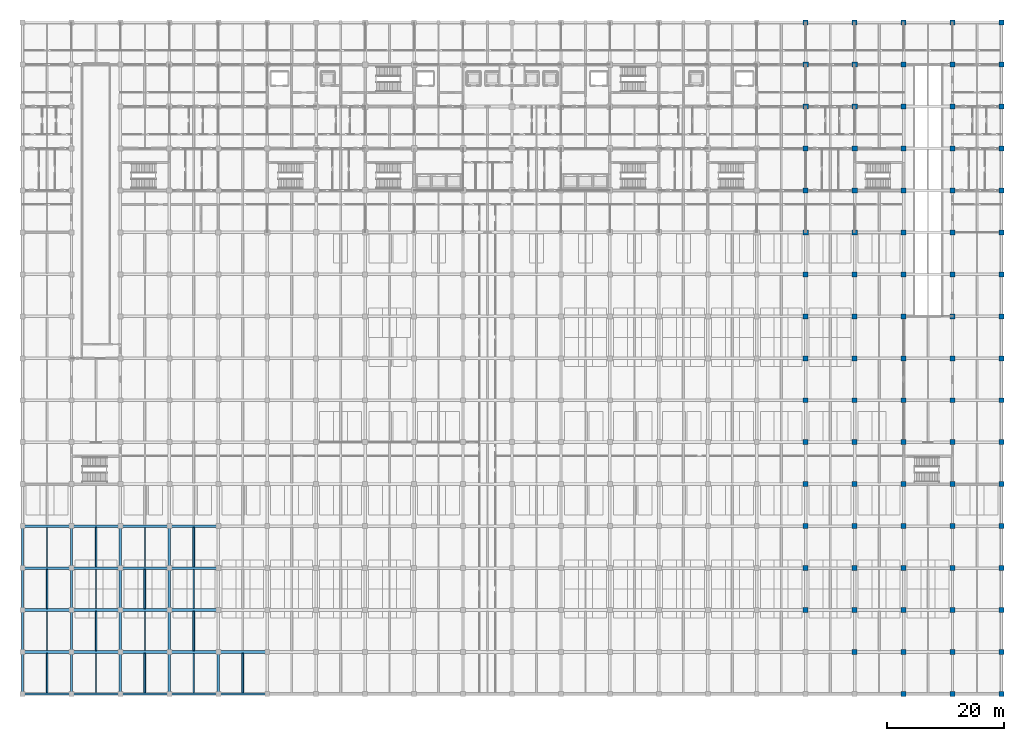
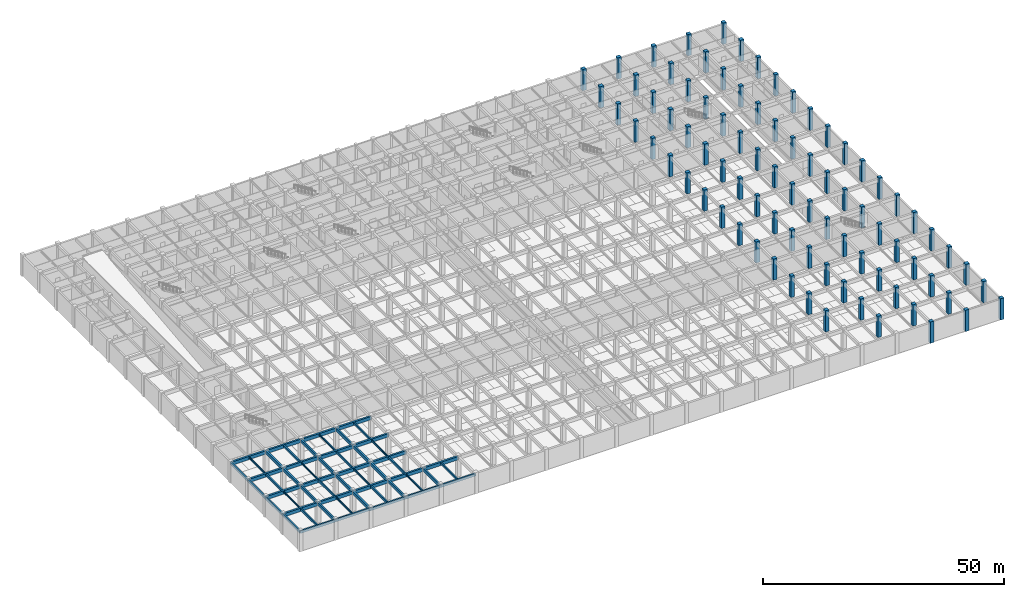
# One storey, part 2 of 48: 82 columns, 56 beams.
"""IFC4 building model written with IfcOpenShell, lengths in metres."""

from ifc_helpers import new_model, si_unit, direction, frame, origin, origin_2d, place, context, subcontext, project, spatial, rectangle, i_section, extrude, material, material_profile, profile_set, type_object, element, save


model = new_model("IFC4")

# Units and contexts
model_context = context("Model", 3, precision=1e-05, world=origin(), true_north=direction((0.0, 1.0)))
body_context = subcontext(model_context, "Body", "Model", "MODEL_VIEW")
ifc_project = project(units=[si_unit("LENGTHUNIT", "METRE"), si_unit("AREAUNIT", "SQUARE_METRE"), si_unit("VOLUMEUNIT", "CUBIC_METRE"), si_unit("PLANEANGLEUNIT", "RADIAN"), si_unit("MASSUNIT", "GRAM", prefix="KILO")], contexts=[model_context])

# Site, building, storey
site_placement = place(None, origin())
site = spatial("IfcSite", under=ifc_project, at=site_placement, CompositionType="ELEMENT")
building_placement = place(site_placement, origin())
building = spatial("IfcBuilding", under=site, at=building_placement, Name="Chengyuan Square Courthouse", CompositionType="ELEMENT")
storey_placement = place(building_placement, frame((0.0, 0.0, -5.39990234375)))
storey = spatial("IfcBuildingStorey", under=building, at=storey_placement, Name="B01", CompositionType="ELEMENT", Elevation=-5.39990234375)

# Columns
ifc_material_1 = material(Name="Concrete C50", Category="concrete")
ifc_material_profile_1 = material_profile(ifc_material_1, rectangle(XDim=0.89990234375, YDim=0.89990234375, at=origin_2d()), Name="RC-COL-900x900")
ifc_profile_set_1 = profile_set([ifc_material_profile_1], Name="Concrete C50")
column_type_1 = type_object("IfcColumnType", Name="CL-02", PredefinedType="COLUMN", material=ifc_profile_set_1)
for number, where, z_axis, x_axis, name in (
    (1, (134.39990234375, 79.199951171875, 0.0), (0.0, 0.0, 1.0), (1.0, 0.0, 0.0), "Column CL-B01-284"),
    (2, (134.39990234375, 100.800048828125, 0.0), (0.0, 0.0, 1.0), (1.0, 0.0, 0.0), "Column CL-B01-287"),
    (3, (134.39990234375, 108.0, 0.0), (0.0, 0.0, 1.0), (1.0, 0.0, 0.0), "Column CL-B01-288"),
    (4, (142.800048828125, 79.199951171875, 0.0), (0.0, 0.0, 1.0), (1.0, 0.0, 0.0), "Column CL-B01-301"),
    (5, (142.800048828125, 86.39990234375, 0.0), (0.0, 0.0, 1.0), (1.0, 0.0, 0.0), "Column CL-B01-302"),
    (6, (142.800048828125, 93.60009765625, 0.0), (0.0, 0.0, 1.0), (1.0, 0.0, 0.0), "Column CL-B01-303"),
    (7, (142.800048828125, 100.800048828125, 0.0), (0.0, 0.0, 1.0), (1.0, 0.0, 0.0), "Column CL-B01-304"),
    (8, (142.800048828125, 108.0, 0.0), (0.0, 0.0, 1.0), (1.0, 0.0, 0.0), "Column CL-B01-305"),
):
    element("IfcColumn", number, at=place(storey_placement, frame(where, z_axis=z_axis, x_axis=x_axis)), inside=storey, type_object=column_type_1, Name=name, PredefinedType="COLUMN", context=body_context, shape_type="SweptSolid", body=[
        extrude(rectangle(XDim=0.89990234375, YDim=0.89990234375, at=origin_2d()), origin(), (0.0, 0.0, 1.0), 5.39990234375),
    ])
ifc_material_profile_2 = material_profile(ifc_material_1, rectangle(XDim=0.85009765625, YDim=0.85009765625, at=origin_2d()), Name="RC-COL-850x850")
ifc_profile_set_2 = profile_set([ifc_material_profile_2], Name="Concrete C50")
column_type_2 = type_object("IfcColumnType", Name="CL-03", PredefinedType="COLUMN", material=ifc_profile_set_2)
for number, where, z_axis, x_axis, name in (
    (9, (134.39990234375, 14.39990234375, 0.0), (0.0, 0.0, 1.0), (1.0, 0.0, 0.0), "Column CL-B01-275"),
    (10, (134.39990234375, 21.60009765625, 0.0), (0.0, 0.0, 1.0), (1.0, 0.0, 0.0), "Column CL-B01-276"),
    (11, (134.39990234375, 28.800048828125, 0.0), (0.0, 0.0, 1.0), (1.0, 0.0, 0.0), "Column CL-B01-277"),
    (12, (134.39990234375, 36.0, 0.0), (0.0, 0.0, 1.0), (1.0, 0.0, 0.0), "Column CL-B01-278"),
    (13, (134.39990234375, 43.199951171875, 0.0), (0.0, 0.0, 1.0), (1.0, 0.0, 0.0), "Column CL-B01-279"),
    (14, (134.39990234375, 50.39990234375, 0.0), (0.0, 0.0, 1.0), (1.0, 0.0, 0.0), "Column CL-B01-280"),
    (15, (134.39990234375, 57.60009765625, 0.0), (0.0, 0.0, 1.0), (1.0, 0.0, 0.0), "Column CL-B01-281"),
    (16, (134.39990234375, 64.800048828125, 0.0), (0.0, 0.0, 1.0), (1.0, 0.0, 0.0), "Column CL-B01-282"),
    (17, (134.39990234375, 72.0, 0.0), (0.0, 0.0, 1.0), (1.0, 0.0, 0.0), "Column CL-B01-283"),
    (18, (134.39990234375, 86.39990234375, 0.0), (0.0, 0.0, 1.0), (1.0, 0.0, 0.0), "Column CL-B01-285"),
    (19, (134.39990234375, 93.60009765625, 0.0), (0.0, 0.0, 1.0), (1.0, 0.0, 0.0), "Column CL-B01-286"),
    (20, (134.39990234375, 115.199951171875, 0.0), (0.0, 0.0, 1.0), (1.0, 0.0, 0.0), "Column CL-B01-289"),
    (21, (142.800048828125, 7.199951171875, 0.0), (0.0, 0.0, 1.0), (1.0, 0.0, 0.0), "Column CL-B01-291"),
    (22, (142.800048828125, 14.39990234375, 0.0), (0.0, 0.0, 1.0), (1.0, 0.0, 0.0), "Column CL-B01-292"),
    (23, (142.800048828125, 21.60009765625, 0.0), (0.0, 0.0, 1.0), (1.0, 0.0, 0.0), "Column CL-B01-293"),
    (24, (142.800048828125, 28.800048828125, 0.0), (0.0, 0.0, 1.0), (1.0, 0.0, 0.0), "Column CL-B01-294"),
    (25, (142.800048828125, 36.0, 0.0), (0.0, 0.0, 1.0), (1.0, 0.0, 0.0), "Column CL-B01-295"),
    (26, (142.800048828125, 43.199951171875, 0.0), (0.0, 0.0, 1.0), (1.0, 0.0, 0.0), "Column CL-B01-296"),
    (27, (142.800048828125, 50.39990234375, 0.0), (0.0, 0.0, 1.0), (1.0, 0.0, 0.0), "Column CL-B01-297"),
    (28, (142.800048828125, 57.60009765625, 0.0), (0.0, 0.0, 1.0), (1.0, 0.0, 0.0), "Column CL-B01-298"),
    (29, (142.800048828125, 64.800048828125, 0.0), (0.0, 0.0, 1.0), (1.0, 0.0, 0.0), "Column CL-B01-299"),
    (30, (142.800048828125, 72.0, 0.0), (0.0, 0.0, 1.0), (1.0, 0.0, 0.0), "Column CL-B01-300"),
    (31, (142.800048828125, 115.199951171875, 0.0), (0.0, 0.0, 1.0), (1.0, 0.0, 0.0), "Column CL-B01-306"),
    (32, (151.199951171875, 0.0, 0.0), (0.0, 0.0, 1.0), (1.0, 0.0, 0.0), "Column CL-B01-307"),
    (33, (151.199951171875, 7.199951171875, 0.0), (0.0, 0.0, 1.0), (1.0, 0.0, 0.0), "Column CL-B01-308"),
    (34, (151.199951171875, 14.39990234375, 0.0), (0.0, 0.0, 1.0), (1.0, 0.0, 0.0), "Column CL-B01-309"),
    (35, (151.199951171875, 21.60009765625, 0.0), (0.0, 0.0, 1.0), (1.0, 0.0, 0.0), "Column CL-B01-310"),
    (36, (151.199951171875, 28.800048828125, 0.0), (0.0, 0.0, 1.0), (1.0, 0.0, 0.0), "Column CL-B01-311"),
    (37, (151.199951171875, 36.0, 0.0), (0.0, 0.0, 1.0), (1.0, 0.0, 0.0), "Column CL-B01-312"),
    (38, (151.199951171875, 43.199951171875, 0.0), (0.0, 0.0, 1.0), (1.0, 0.0, 0.0), "Column CL-B01-313"),
    (39, (151.199951171875, 50.39990234375, 0.0), (0.0, 0.0, 1.0), (1.0, 0.0, 0.0), "Column CL-B01-314"),
    (40, (151.199951171875, 57.60009765625, 0.0), (0.0, 0.0, 1.0), (1.0, 0.0, 0.0), "Column CL-B01-315"),
    (41, (151.199951171875, 64.800048828125, 0.0), (0.0, 0.0, 1.0), (1.0, 0.0, 0.0), "Column CL-B01-316"),
    (42, (151.199951171875, 72.0, 0.0), (0.0, 0.0, 1.0), (1.0, 0.0, 0.0), "Column CL-B01-317"),
    (43, (151.199951171875, 79.199951171875, 0.0), (0.0, 0.0, 1.0), (1.0, 0.0, 0.0), "Column CL-B01-318"),
    (44, (151.199951171875, 86.39990234375, 0.0), (0.0, 0.0, 1.0), (1.0, 0.0, 0.0), "Column CL-B01-319"),
    (45, (151.199951171875, 93.60009765625, 0.0), (0.0, 0.0, 1.0), (1.0, 0.0, 0.0), "Column CL-B01-320"),
    (46, (151.199951171875, 100.800048828125, 0.0), (0.0, 0.0, 1.0), (1.0, 0.0, 0.0), "Column CL-B01-321"),
    (47, (151.199951171875, 108.0, 0.0), (0.0, 0.0, 1.0), (1.0, 0.0, 0.0), "Column CL-B01-322"),
    (48, (151.199951171875, 115.199951171875, 0.0), (0.0, 0.0, 1.0), (1.0, 0.0, 0.0), "Column CL-B01-323"),
    (49, (159.60009765625, 0.0, 0.0), (0.0, 0.0, 1.0), (1.0, 0.0, 0.0), "Column CL-B01-324"),
    (50, (159.60009765625, 7.199951171875, 0.0), (0.0, 0.0, 1.0), (1.0, 0.0, 0.0), "Column CL-B01-325"),
    (51, (159.60009765625, 14.39990234375, 0.0), (0.0, 0.0, 1.0), (1.0, 0.0, 0.0), "Column CL-B01-326"),
    (52, (159.60009765625, 21.60009765625, 0.0), (0.0, 0.0, 1.0), (1.0, 0.0, 0.0), "Column CL-B01-327"),
    (53, (159.60009765625, 28.800048828125, 0.0), (0.0, 0.0, 1.0), (1.0, 0.0, 0.0), "Column CL-B01-328"),
    (54, (159.60009765625, 36.0, 0.0), (0.0, 0.0, 1.0), (1.0, 0.0, 0.0), "Column CL-B01-329"),
    (55, (159.60009765625, 43.199951171875, 0.0), (0.0, 0.0, 1.0), (1.0, 0.0, 0.0), "Column CL-B01-330"),
    (56, (159.60009765625, 50.39990234375, 0.0), (0.0, 0.0, 1.0), (1.0, 0.0, 0.0), "Column CL-B01-331"),
    (57, (159.60009765625, 57.60009765625, 0.0), (0.0, 0.0, 1.0), (1.0, 0.0, 0.0), "Column CL-B01-332"),
    (58, (159.60009765625, 64.800048828125, 0.0), (0.0, 0.0, 1.0), (1.0, 0.0, 0.0), "Column CL-B01-333"),
    (59, (159.60009765625, 72.0, 0.0), (0.0, 0.0, 1.0), (1.0, 0.0, 0.0), "Column CL-B01-334"),
    (60, (159.60009765625, 79.199951171875, 0.0), (0.0, 0.0, 1.0), (1.0, 0.0, 0.0), "Column CL-B01-335"),
    (61, (159.60009765625, 86.39990234375, 0.0), (0.0, 0.0, 1.0), (1.0, 0.0, 0.0), "Column CL-B01-336"),
    (62, (159.60009765625, 93.60009765625, 0.0), (0.0, 0.0, 1.0), (1.0, 0.0, 0.0), "Column CL-B01-337"),
    (63, (159.60009765625, 100.800048828125, 0.0), (0.0, 0.0, 1.0), (1.0, 0.0, 0.0), "Column CL-B01-338"),
    (64, (159.60009765625, 108.0, 0.0), (0.0, 0.0, 1.0), (1.0, 0.0, 0.0), "Column CL-B01-339"),
    (65, (159.60009765625, 115.199951171875, 0.0), (0.0, 0.0, 1.0), (1.0, 0.0, 0.0), "Column CL-B01-340"),
    (66, (168.0, 0.0, 0.0), (0.0, 0.0, 1.0), (1.0, 0.0, 0.0), "Column CL-B01-341"),
    (67, (168.0, 7.199951171875, 0.0), (0.0, 0.0, 1.0), (1.0, 0.0, 0.0), "Column CL-B01-342"),
    (68, (168.0, 14.39990234375, 0.0), (0.0, 0.0, 1.0), (1.0, 0.0, 0.0), "Column CL-B01-343"),
    (69, (168.0, 21.60009765625, 0.0), (0.0, 0.0, 1.0), (1.0, 0.0, 0.0), "Column CL-B01-344"),
    (70, (168.0, 28.800048828125, 0.0), (0.0, 0.0, 1.0), (1.0, 0.0, 0.0), "Column CL-B01-345"),
    (71, (168.0, 36.0, 0.0), (0.0, 0.0, 1.0), (1.0, 0.0, 0.0), "Column CL-B01-346"),
    (72, (168.0, 43.199951171875, 0.0), (0.0, 0.0, 1.0), (1.0, 0.0, 0.0), "Column CL-B01-347"),
    (73, (168.0, 50.39990234375, 0.0), (0.0, 0.0, 1.0), (1.0, 0.0, 0.0), "Column CL-B01-348"),
    (74, (168.0, 57.60009765625, 0.0), (0.0, 0.0, 1.0), (1.0, 0.0, 0.0), "Column CL-B01-349"),
    (75, (168.0, 64.800048828125, 0.0), (0.0, 0.0, 1.0), (1.0, 0.0, 0.0), "Column CL-B01-350"),
    (76, (168.0, 72.0, 0.0), (0.0, 0.0, 1.0), (1.0, 0.0, 0.0), "Column CL-B01-351"),
    (77, (168.0, 79.199951171875, 0.0), (0.0, 0.0, 1.0), (1.0, 0.0, 0.0), "Column CL-B01-352"),
    (78, (168.0, 86.39990234375, 0.0), (0.0, 0.0, 1.0), (1.0, 0.0, 0.0), "Column CL-B01-353"),
    (79, (168.0, 93.60009765625, 0.0), (0.0, 0.0, 1.0), (1.0, 0.0, 0.0), "Column CL-B01-354"),
    (80, (168.0, 100.800048828125, 0.0), (0.0, 0.0, 1.0), (1.0, 0.0, 0.0), "Column CL-B01-355"),
    (81, (168.0, 108.0, 0.0), (0.0, 0.0, 1.0), (1.0, 0.0, 0.0), "Column CL-B01-356"),
    (82, (168.0, 115.199951171875, 0.0), (0.0, 0.0, 1.0), (1.0, 0.0, 0.0), "Column CL-B01-357"),
):
    element("IfcColumn", number, at=place(storey_placement, frame(where, z_axis=z_axis, x_axis=x_axis)), inside=storey, type_object=column_type_2, Name=name, PredefinedType="COLUMN", context=body_context, shape_type="SweptSolid", body=[
        extrude(rectangle(XDim=0.85009765625, YDim=0.85009765625, at=origin_2d()), origin(), (0.0, 0.0, 1.0), 5.39990234375),
    ])

# Beams
ifc_material_2 = material(Name="Concrete C40", Category="concrete")
ifc_material_profile_3 = material_profile(ifc_material_2, rectangle(XDim=0.449951171875, YDim=0.85009765625, at=origin_2d()), Name="RC-BM-450x850")
ifc_profile_set_3 = profile_set([ifc_material_profile_3], Name="Concrete C40")
beam_type_1 = type_object("IfcBeamType", Name="BM-01", PredefinedType="USERDEFINED", material=ifc_profile_set_3)
beam_1_placement = place(storey_placement, frame((0.0, 7.199951171875, 4.6748046875), z_axis=(1.0, 0.0, 0.0), x_axis=(0.0, 1.0, 0.0)))
element("IfcBeam", 83, at=beam_1_placement, inside=storey, type_object=beam_type_1, Name="Girder BM-B01-0692", ObjectType="GIRDER", PredefinedType="USERDEFINED", context=body_context, shape_type="SweptSolid", body=[
    extrude(rectangle(XDim=0.449951171875, YDim=0.85009765625, at=origin_2d()), origin(), (0.0, 0.0, 1.0), 8.39990234375),
])
beam_2_placement = place(storey_placement, frame((8.39990234375, 7.199951171875, 4.6748046875), z_axis=(1.0, 0.0, 0.0), x_axis=(0.0, 1.0, 0.0)))
element("IfcBeam", 84, at=beam_2_placement, inside=storey, type_object=beam_type_1, Name="Girder BM-B01-0693", ObjectType="GIRDER", PredefinedType="USERDEFINED", context=body_context, shape_type="SweptSolid", body=[
    extrude(rectangle(XDim=0.449951171875, YDim=0.85009765625, at=origin_2d()), origin(), (0.0, 0.0, 1.0), 8.400146484375),
])
beam_3_placement = place(storey_placement, frame((16.800048828125, 7.199951171875, 4.554931640625), z_axis=(1.0, 0.0, 0.0), x_axis=(0.0, 1.0, 0.0)))
element("IfcBeam", 85, at=beam_3_placement, inside=storey, type_object=beam_type_1, Name="Girder BM-B01-0694", ObjectType="GIRDER", PredefinedType="USERDEFINED", context=body_context, shape_type="SweptSolid", body=[
    extrude(rectangle(XDim=0.449951171875, YDim=0.85009765625, at=origin_2d()), origin(), (0.0, 0.0, 1.0), 8.39990234375),
])
beam_4_placement = place(storey_placement, frame((25.199951171875, 7.199951171875, 4.554931640625), z_axis=(1.0, 0.0, 0.0), x_axis=(0.0, 1.0, 0.0)))
element("IfcBeam", 86, at=beam_4_placement, inside=storey, type_object=beam_type_1, Name="Girder BM-B01-0695", ObjectType="GIRDER", PredefinedType="USERDEFINED", context=body_context, shape_type="SweptSolid", body=[
    extrude(rectangle(XDim=0.449951171875, YDim=0.85009765625, at=origin_2d()), origin(), (0.0, 0.0, 1.0), 8.400146484375),
])
for number, where, z_axis, x_axis, name in (
    (87, (33.60009765625, 7.199951171875, 4.554931640625), (1.0, 0.0, 0.0), (0.0, 1.0, 0.0), "Girder BM-B01-0696"),
    (88, (0.0, 14.39990234375, 4.6748046875), (1.0, 0.0, 0.0), (0.0, 1.0, 0.0), "Girder BM-B01-0712"),
):
    element("IfcBeam", number, at=place(storey_placement, frame(where, z_axis=z_axis, x_axis=x_axis)), inside=storey, type_object=beam_type_1, Name=name, ObjectType="GIRDER", PredefinedType="USERDEFINED", context=body_context, shape_type="SweptSolid", body=[
        extrude(rectangle(XDim=0.449951171875, YDim=0.85009765625, at=origin_2d()), origin(), (0.0, 0.0, 1.0), 8.39990234375),
    ])
beam_5_placement = place(storey_placement, frame((8.39990234375, 14.39990234375, 4.6748046875), z_axis=(1.0, 0.0, 0.0), x_axis=(0.0, 1.0, 0.0)))
element("IfcBeam", 89, at=beam_5_placement, inside=storey, type_object=beam_type_1, Name="Girder BM-B01-0713", ObjectType="GIRDER", PredefinedType="USERDEFINED", context=body_context, shape_type="SweptSolid", body=[
    extrude(rectangle(XDim=0.449951171875, YDim=0.85009765625, at=origin_2d()), origin(), (0.0, 0.0, 1.0), 8.400146484375),
])
beam_6_placement = place(storey_placement, frame((16.800048828125, 14.39990234375, 4.554931640625), z_axis=(1.0, 0.0, 0.0), x_axis=(0.0, 1.0, 0.0)))
element("IfcBeam", 90, at=beam_6_placement, inside=storey, type_object=beam_type_1, Name="Girder BM-B01-0714", ObjectType="GIRDER", PredefinedType="USERDEFINED", context=body_context, shape_type="SweptSolid", body=[
    extrude(rectangle(XDim=0.449951171875, YDim=0.85009765625, at=origin_2d()), origin(), (0.0, 0.0, 1.0), 8.39990234375),
])
beam_7_placement = place(storey_placement, frame((25.199951171875, 14.39990234375, 4.554931640625), z_axis=(1.0, 0.0, 0.0), x_axis=(0.0, 1.0, 0.0)))
element("IfcBeam", 91, at=beam_7_placement, inside=storey, type_object=beam_type_1, Name="Girder BM-B01-0715", ObjectType="GIRDER", PredefinedType="USERDEFINED", context=body_context, shape_type="SweptSolid", body=[
    extrude(rectangle(XDim=0.449951171875, YDim=0.85009765625, at=origin_2d()), origin(), (0.0, 0.0, 1.0), 8.400146484375),
])
beam_8_placement = place(storey_placement, frame((0.0, 21.60009765625, 4.6748046875), z_axis=(1.0, 0.0, 0.0), x_axis=(0.0, 1.0, 0.0)))
element("IfcBeam", 92, at=beam_8_placement, inside=storey, type_object=beam_type_1, Name="Girder BM-B01-0732", ObjectType="GIRDER", PredefinedType="USERDEFINED", context=body_context, shape_type="SweptSolid", body=[
    extrude(rectangle(XDim=0.449951171875, YDim=0.85009765625, at=origin_2d()), origin(), (0.0, 0.0, 1.0), 8.39990234375),
])
beam_9_placement = place(storey_placement, frame((8.39990234375, 21.60009765625, 4.6748046875), z_axis=(1.0, 0.0, 0.0), x_axis=(0.0, 1.0, 0.0)))
element("IfcBeam", 93, at=beam_9_placement, inside=storey, type_object=beam_type_1, Name="Girder BM-B01-0733", ObjectType="GIRDER", PredefinedType="USERDEFINED", context=body_context, shape_type="SweptSolid", body=[
    extrude(rectangle(XDim=0.449951171875, YDim=0.85009765625, at=origin_2d()), origin(), (0.0, 0.0, 1.0), 8.400146484375),
])
beam_10_placement = place(storey_placement, frame((16.800048828125, 21.60009765625, 4.554931640625), z_axis=(1.0, 0.0, 0.0), x_axis=(0.0, 1.0, 0.0)))
element("IfcBeam", 94, at=beam_10_placement, inside=storey, type_object=beam_type_1, Name="Girder BM-B01-0734", ObjectType="GIRDER", PredefinedType="USERDEFINED", context=body_context, shape_type="SweptSolid", body=[
    extrude(rectangle(XDim=0.449951171875, YDim=0.85009765625, at=origin_2d()), origin(), (0.0, 0.0, 1.0), 8.39990234375),
])
beam_11_placement = place(storey_placement, frame((25.199951171875, 21.60009765625, 4.554931640625), z_axis=(1.0, 0.0, 0.0), x_axis=(0.0, 1.0, 0.0)))
element("IfcBeam", 95, at=beam_11_placement, inside=storey, type_object=beam_type_1, Name="Girder BM-B01-0735", ObjectType="GIRDER", PredefinedType="USERDEFINED", context=body_context, shape_type="SweptSolid", body=[
    extrude(rectangle(XDim=0.449951171875, YDim=0.85009765625, at=origin_2d()), origin(), (0.0, 0.0, 1.0), 8.400146484375),
])
beam_12_placement = place(storey_placement, frame((0.0, 28.800048828125, 4.6748046875), z_axis=(1.0, 0.0, 0.0), x_axis=(0.0, 1.0, 0.0)))
element("IfcBeam", 96, at=beam_12_placement, inside=storey, type_object=beam_type_1, Name="Girder BM-B01-0752", ObjectType="GIRDER", PredefinedType="USERDEFINED", context=body_context, shape_type="SweptSolid", body=[
    extrude(rectangle(XDim=0.449951171875, YDim=0.85009765625, at=origin_2d()), origin(), (0.0, 0.0, 1.0), 8.39990234375),
])
beam_13_placement = place(storey_placement, frame((8.39990234375, 28.800048828125, 4.6748046875), z_axis=(1.0, 0.0, 0.0), x_axis=(0.0, 1.0, 0.0)))
element("IfcBeam", 97, at=beam_13_placement, inside=storey, type_object=beam_type_1, Name="Girder BM-B01-0753", ObjectType="GIRDER", PredefinedType="USERDEFINED", context=body_context, shape_type="SweptSolid", body=[
    extrude(rectangle(XDim=0.449951171875, YDim=0.85009765625, at=origin_2d()), origin(), (0.0, 0.0, 1.0), 8.400146484375),
])
beam_14_placement = place(storey_placement, frame((16.800048828125, 28.800048828125, 4.554931640625), z_axis=(1.0, 0.0, 0.0), x_axis=(0.0, 1.0, 0.0)))
element("IfcBeam", 98, at=beam_14_placement, inside=storey, type_object=beam_type_1, Name="Girder BM-B01-0754", ObjectType="GIRDER", PredefinedType="USERDEFINED", context=body_context, shape_type="SweptSolid", body=[
    extrude(rectangle(XDim=0.449951171875, YDim=0.85009765625, at=origin_2d()), origin(), (0.0, 0.0, 1.0), 8.39990234375),
])
beam_15_placement = place(storey_placement, frame((25.199951171875, 28.800048828125, 4.554931640625), z_axis=(1.0, 0.0, 0.0), x_axis=(0.0, 1.0, 0.0)))
element("IfcBeam", 99, at=beam_15_placement, inside=storey, type_object=beam_type_1, Name="Girder BM-B01-0755", ObjectType="GIRDER", PredefinedType="USERDEFINED", context=body_context, shape_type="SweptSolid", body=[
    extrude(rectangle(XDim=0.449951171875, YDim=0.85009765625, at=origin_2d()), origin(), (0.0, 0.0, 1.0), 8.400146484375),
])
ifc_material_profile_4 = material_profile(ifc_material_2, rectangle(XDim=0.39990234375, YDim=0.75, at=origin_2d()), Name="RC-BM-400x750")
ifc_profile_set_4 = profile_set([ifc_material_profile_4], Name="Concrete C40")
beam_type_2 = type_object("IfcBeamType", Name="BM-02", PredefinedType="USERDEFINED", material=ifc_profile_set_4)
for number, where, z_axis, x_axis, name in (
    (100, (8.39990234375, 0.0, 4.724853515625), (0.0, 1.0, 0.0), (-1.0, 0.0, 0.0), "Girder BM-B01-1022"),
    (101, (8.39990234375, 7.199951171875, 4.724853515625), (0.0, 1.0, 0.0), (-1.0, 0.0, 0.0), "Girder BM-B01-1023"),
):
    element("IfcBeam", number, at=place(storey_placement, frame(where, z_axis=z_axis, x_axis=x_axis)), inside=storey, type_object=beam_type_2, Name=name, ObjectType="GIRDER", PredefinedType="USERDEFINED", context=body_context, shape_type="SweptSolid", body=[
        extrude(rectangle(XDim=0.39990234375, YDim=0.75, at=origin_2d()), origin(), (0.0, 0.0, 1.0), 7.199951171875),
    ])
beam_16_placement = place(storey_placement, frame((8.39990234375, 14.39990234375, 4.724853515625), z_axis=(0.0, 1.0, 0.0), x_axis=(-1.0, 0.0, 0.0)))
element("IfcBeam", 102, at=beam_16_placement, inside=storey, type_object=beam_type_2, Name="Girder BM-B01-1024", ObjectType="GIRDER", PredefinedType="USERDEFINED", context=body_context, shape_type="SweptSolid", body=[
    extrude(rectangle(XDim=0.39990234375, YDim=0.75, at=origin_2d()), origin(), (0.0, 0.0, 1.0), 7.2001953125),
])
for number, where, z_axis, x_axis, name in (
    (103, (8.39990234375, 21.60009765625, 4.724853515625), (0.0, 1.0, 0.0), (-1.0, 0.0, 0.0), "Girder BM-B01-1025"),
    (104, (16.800048828125, 0.0, 4.60498046875), (0.0, 1.0, 0.0), (-1.0, 0.0, 0.0), "Girder BM-B01-1038"),
    (105, (16.800048828125, 7.199951171875, 4.60498046875), (0.0, 1.0, 0.0), (-1.0, 0.0, 0.0), "Girder BM-B01-1039"),
):
    element("IfcBeam", number, at=place(storey_placement, frame(where, z_axis=z_axis, x_axis=x_axis)), inside=storey, type_object=beam_type_2, Name=name, ObjectType="GIRDER", PredefinedType="USERDEFINED", context=body_context, shape_type="SweptSolid", body=[
        extrude(rectangle(XDim=0.39990234375, YDim=0.75, at=origin_2d()), origin(), (0.0, 0.0, 1.0), 7.199951171875),
    ])
beam_17_placement = place(storey_placement, frame((16.800048828125, 14.39990234375, 4.60498046875), z_axis=(0.0, 1.0, 0.0), x_axis=(-1.0, 0.0, 0.0)))
element("IfcBeam", 106, at=beam_17_placement, inside=storey, type_object=beam_type_2, Name="Girder BM-B01-1040", ObjectType="GIRDER", PredefinedType="USERDEFINED", context=body_context, shape_type="SweptSolid", body=[
    extrude(rectangle(XDim=0.39990234375, YDim=0.75, at=origin_2d()), origin(), (0.0, 0.0, 1.0), 7.2001953125),
])
for number, where, z_axis, x_axis, name in (
    (107, (16.800048828125, 21.60009765625, 4.60498046875), (0.0, 1.0, 0.0), (-1.0, 0.0, 0.0), "Girder BM-B01-1041"),
    (108, (25.199951171875, 0.0, 4.60498046875), (0.0, 1.0, 0.0), (-1.0, 0.0, 0.0), "Girder BM-B01-1054"),
    (109, (25.199951171875, 7.199951171875, 4.60498046875), (0.0, 1.0, 0.0), (-1.0, 0.0, 0.0), "Girder BM-B01-1055"),
):
    element("IfcBeam", number, at=place(storey_placement, frame(where, z_axis=z_axis, x_axis=x_axis)), inside=storey, type_object=beam_type_2, Name=name, ObjectType="GIRDER", PredefinedType="USERDEFINED", context=body_context, shape_type="SweptSolid", body=[
        extrude(rectangle(XDim=0.39990234375, YDim=0.75, at=origin_2d()), origin(), (0.0, 0.0, 1.0), 7.199951171875),
    ])
beam_18_placement = place(storey_placement, frame((25.199951171875, 14.39990234375, 4.60498046875), z_axis=(0.0, 1.0, 0.0), x_axis=(-1.0, 0.0, 0.0)))
element("IfcBeam", 110, at=beam_18_placement, inside=storey, type_object=beam_type_2, Name="Girder BM-B01-1056", ObjectType="GIRDER", PredefinedType="USERDEFINED", context=body_context, shape_type="SweptSolid", body=[
    extrude(rectangle(XDim=0.39990234375, YDim=0.75, at=origin_2d()), origin(), (0.0, 0.0, 1.0), 7.2001953125),
])
for number, where, z_axis, x_axis, name in (
    (111, (25.199951171875, 21.60009765625, 4.60498046875), (0.0, 1.0, 0.0), (-1.0, 0.0, 0.0), "Girder BM-B01-1057"),
    (112, (33.60009765625, 0.0, 4.60498046875), (0.0, 1.0, 0.0), (-1.0, 0.0, 0.0), "Girder BM-B01-1070"),
):
    element("IfcBeam", number, at=place(storey_placement, frame(where, z_axis=z_axis, x_axis=x_axis)), inside=storey, type_object=beam_type_2, Name=name, ObjectType="GIRDER", PredefinedType="USERDEFINED", context=body_context, shape_type="SweptSolid", body=[
        extrude(rectangle(XDim=0.39990234375, YDim=0.75, at=origin_2d()), origin(), (0.0, 0.0, 1.0), 7.199951171875),
    ])
ifc_material_profile_5 = material_profile(ifc_material_2, rectangle(XDim=0.35009765625, YDim=0.64990234375, at=origin_2d()), Name="RC-BM-350x650")
ifc_profile_set_5 = profile_set([ifc_material_profile_5], Name="Concrete C40")
beam_type_3 = type_object("IfcBeamType", Name="BM-03", PredefinedType="SPANDREL", material=ifc_profile_set_5)
beam_19_placement = place(storey_placement, frame((0.0, 0.0, 4.77490234375), z_axis=(1.0, 0.0, 0.0), x_axis=(0.0, 1.0, 0.0)))
element("IfcBeam", 113, at=beam_19_placement, inside=storey, type_object=beam_type_3, Name="Girder BM-B01-0672", PredefinedType="SPANDREL", context=body_context, shape_type="SweptSolid", body=[
    extrude(rectangle(XDim=0.35009765625, YDim=0.64990234375, at=origin_2d()), origin(), (0.0, 0.0, 1.0), 8.39990234375),
])
beam_20_placement = place(storey_placement, frame((8.39990234375, 0.0, 4.77490234375), z_axis=(1.0, 0.0, 0.0), x_axis=(0.0, 1.0, 0.0)))
element("IfcBeam", 114, at=beam_20_placement, inside=storey, type_object=beam_type_3, Name="Girder BM-B01-0673", PredefinedType="SPANDREL", context=body_context, shape_type="SweptSolid", body=[
    extrude(rectangle(XDim=0.35009765625, YDim=0.64990234375, at=origin_2d()), origin(), (0.0, 0.0, 1.0), 8.400146484375),
])
beam_21_placement = place(storey_placement, frame((16.800048828125, 0.0, 4.65478515625), z_axis=(1.0, 0.0, 0.0), x_axis=(0.0, 1.0, 0.0)))
element("IfcBeam", 115, at=beam_21_placement, inside=storey, type_object=beam_type_3, Name="Girder BM-B01-0674", PredefinedType="SPANDREL", context=body_context, shape_type="SweptSolid", body=[
    extrude(rectangle(XDim=0.35009765625, YDim=0.64990234375, at=origin_2d()), origin(), (0.0, 0.0, 1.0), 8.39990234375),
])
beam_22_placement = place(storey_placement, frame((25.199951171875, 0.0, 4.65478515625), z_axis=(1.0, 0.0, 0.0), x_axis=(0.0, 1.0, 0.0)))
element("IfcBeam", 116, at=beam_22_placement, inside=storey, type_object=beam_type_3, Name="Girder BM-B01-0675", PredefinedType="SPANDREL", context=body_context, shape_type="SweptSolid", body=[
    extrude(rectangle(XDim=0.35009765625, YDim=0.64990234375, at=origin_2d()), origin(), (0.0, 0.0, 1.0), 8.400146484375),
])
beam_23_placement = place(storey_placement, frame((33.60009765625, 0.0, 4.65478515625), z_axis=(1.0, 0.0, 0.0), x_axis=(0.0, 1.0, 0.0)))
element("IfcBeam", 117, at=beam_23_placement, inside=storey, type_object=beam_type_3, Name="Girder BM-B01-0676", PredefinedType="SPANDREL", context=body_context, shape_type="SweptSolid", body=[
    extrude(rectangle(XDim=0.35009765625, YDim=0.64990234375, at=origin_2d()), origin(), (0.0, 0.0, 1.0), 8.39990234375),
])
for number, where, z_axis, x_axis, name in (
    (118, (0.0, 0.0, 4.77490234375), (0.0, 1.0, 0.0), (-1.0, 0.0, 0.0), "Girder BM-B01-1006"),
    (119, (0.0, 7.199951171875, 4.77490234375), (0.0, 1.0, 0.0), (-1.0, 0.0, 0.0), "Girder BM-B01-1007"),
):
    element("IfcBeam", number, at=place(storey_placement, frame(where, z_axis=z_axis, x_axis=x_axis)), inside=storey, type_object=beam_type_3, Name=name, PredefinedType="SPANDREL", context=body_context, shape_type="SweptSolid", body=[
        extrude(rectangle(XDim=0.35009765625, YDim=0.64990234375, at=origin_2d()), origin(), (0.0, 0.0, 1.0), 7.199951171875),
    ])
beam_24_placement = place(storey_placement, frame((0.0, 14.39990234375, 4.77490234375), z_axis=(0.0, 1.0, 0.0), x_axis=(-1.0, 0.0, 0.0)))
element("IfcBeam", 120, at=beam_24_placement, inside=storey, type_object=beam_type_3, Name="Girder BM-B01-1008", PredefinedType="SPANDREL", context=body_context, shape_type="SweptSolid", body=[
    extrude(rectangle(XDim=0.35009765625, YDim=0.64990234375, at=origin_2d()), origin(), (0.0, 0.0, 1.0), 7.2001953125),
])
beam_25_placement = place(storey_placement, frame((0.0, 21.60009765625, 4.77490234375), z_axis=(0.0, 1.0, 0.0), x_axis=(-1.0, 0.0, 0.0)))
element("IfcBeam", 121, at=beam_25_placement, inside=storey, type_object=beam_type_3, Name="Girder BM-B01-1009", PredefinedType="SPANDREL", context=body_context, shape_type="SweptSolid", body=[
    extrude(rectangle(XDim=0.35009765625, YDim=0.64990234375, at=origin_2d()), origin(), (0.0, 0.0, 1.0), 7.199951171875),
])
ifc_material_profile_6 = material_profile(ifc_material_2, rectangle(XDim=0.300048828125, YDim=0.550048828125, at=origin_2d()), Name="RC-BM-300x550")
ifc_profile_set_6 = profile_set([ifc_material_profile_6], Name="Concrete C40")
beam_type_4 = type_object("IfcBeamType", Name="BM-04", PredefinedType="BEAM", material=ifc_profile_set_6)
beam_26_placement = place(storey_placement, frame((4.199951171875, 0.175048828125, 4.824951171875), z_axis=(0.0, 1.0, 0.0), x_axis=(-1.0, 0.0, 0.0)))
element("IfcBeam", 122, at=beam_26_placement, inside=storey, type_object=beam_type_4, Name="Secondary Floor Beam SBM-B01-1342", PredefinedType="BEAM", context=body_context, shape_type="SweptSolid", body=[
    extrude(rectangle(XDim=0.300048828125, YDim=0.550048828125, at=origin_2d()), origin(), (0.0, 0.0, 1.0), 6.800048828125),
])
for number, where, z_axis, x_axis, name in (
    (123, (4.199951171875, 14.625, 4.824951171875), (0.0, 1.0, 0.0), (-1.0, 0.0, 0.0), "Secondary Floor Beam SBM-B01-1344"),
    (124, (12.60009765625, 7.425048828125, 4.824951171875), (0.0, 1.0, 0.0), (-1.0, 0.0, 0.0), "Secondary Floor Beam SBM-B01-1359"),
    (125, (12.60009765625, 21.824951171875, 4.824951171875), (0.0, 1.0, 0.0), (-1.0, 0.0, 0.0), "Secondary Floor Beam SBM-B01-1361"),
):
    element("IfcBeam", number, at=place(storey_placement, frame(where, z_axis=z_axis, x_axis=x_axis)), inside=storey, type_object=beam_type_4, Name=name, PredefinedType="BEAM", context=body_context, shape_type="SweptSolid", body=[
        extrude(rectangle(XDim=0.300048828125, YDim=0.550048828125, at=origin_2d()), origin(), (0.0, 0.0, 1.0), 6.75),
    ])
beam_27_placement = place(storey_placement, frame((21.0, 0.175048828125, 4.704833984375), z_axis=(0.0, 1.0, 0.0), x_axis=(-1.0, 0.0, 0.0)))
element("IfcBeam", 126, at=beam_27_placement, inside=storey, type_object=beam_type_4, Name="Secondary Floor Beam SBM-B01-1366", PredefinedType="BEAM", context=body_context, shape_type="SweptSolid", body=[
    extrude(rectangle(XDim=0.300048828125, YDim=0.550048828125, at=origin_2d()), origin(), (0.0, 0.0, 1.0), 6.800048828125),
])
for number, where, z_axis, x_axis, name in (
    (127, (21.0, 14.625, 4.704833984375), (0.0, 1.0, 0.0), (-1.0, 0.0, 0.0), "Secondary Floor Beam SBM-B01-1368"),
    (128, (29.39990234375, 7.425048828125, 4.704833984375), (0.0, 1.0, 0.0), (-1.0, 0.0, 0.0), "Secondary Floor Beam SBM-B01-1382"),
    (129, (29.39990234375, 21.824951171875, 4.704833984375), (0.0, 1.0, 0.0), (-1.0, 0.0, 0.0), "Secondary Floor Beam SBM-B01-1384"),
):
    element("IfcBeam", number, at=place(storey_placement, frame(where, z_axis=z_axis, x_axis=x_axis)), inside=storey, type_object=beam_type_4, Name=name, PredefinedType="BEAM", context=body_context, shape_type="SweptSolid", body=[
        extrude(rectangle(XDim=0.300048828125, YDim=0.550048828125, at=origin_2d()), origin(), (0.0, 0.0, 1.0), 6.75),
    ])
beam_28_placement = place(storey_placement, frame((37.800048828125, 0.175048828125, 4.704833984375), z_axis=(0.0, 1.0, 0.0), x_axis=(-1.0, 0.0, 0.0)))
element("IfcBeam", 130, at=beam_28_placement, inside=storey, type_object=beam_type_4, Name="Secondary Floor Beam SBM-B01-1397", PredefinedType="BEAM", context=body_context, shape_type="SweptSolid", body=[
    extrude(rectangle(XDim=0.300048828125, YDim=0.550048828125, at=origin_2d()), origin(), (0.0, 0.0, 1.0), 6.800048828125),
])
ifc_material_3 = material(Name="Steel Q355B", Category="steel")
ifc_material_profile_7 = material_profile(ifc_material_3, i_section(OverallWidth=0.199951171875, OverallDepth=0.449951171875, WebThickness=0.009033203125, FlangeThickness=0.013916015625, at=origin_2d()), Name="HN 450x200x9x14")
ifc_profile_set_7 = profile_set([ifc_material_profile_7], Name="Steel Q355B")
beam_type_5 = type_object("IfcBeamType", Name="BM-06", PredefinedType="BEAM", material=ifc_profile_set_7)
for number, where, z_axis, x_axis, name in (
    (131, (4.199951171875, 7.425048828125, 4.875), (0.0, 1.0, 0.0), (-1.0, 0.0, 0.0), "Secondary Floor Beam SBM-B01-1343"),
    (132, (4.199951171875, 21.824951171875, 4.875), (0.0, 1.0, 0.0), (-1.0, 0.0, 0.0), "Secondary Floor Beam SBM-B01-1345"),
):
    element("IfcBeam", number, at=place(storey_placement, frame(where, z_axis=z_axis, x_axis=x_axis)), inside=storey, type_object=beam_type_5, Name=name, PredefinedType="BEAM", context=body_context, shape_type="SweptSolid", body=[
        extrude(i_section(OverallWidth=0.199951171875, OverallDepth=0.449951171875, WebThickness=0.009033203125, FlangeThickness=0.013916015625, at=origin_2d()), origin(), (0.0, 0.0, 1.0), 6.75),
    ])
beam_29_placement = place(storey_placement, frame((12.60009765625, 0.175048828125, 4.875), z_axis=(0.0, 1.0, 0.0), x_axis=(-1.0, 0.0, 0.0)))
element("IfcBeam", 133, at=beam_29_placement, inside=storey, type_object=beam_type_5, Name="Secondary Floor Beam SBM-B01-1358", PredefinedType="BEAM", context=body_context, shape_type="SweptSolid", body=[
    extrude(i_section(OverallWidth=0.199951171875, OverallDepth=0.449951171875, WebThickness=0.009033203125, FlangeThickness=0.013916015625, at=origin_2d()), origin(), (0.0, 0.0, 1.0), 6.800048828125),
])
for number, where, z_axis, x_axis, name in (
    (134, (12.60009765625, 14.625, 4.875), (0.0, 1.0, 0.0), (-1.0, 0.0, 0.0), "Secondary Floor Beam SBM-B01-1360"),
    (135, (21.0, 7.425048828125, 4.7548828125), (0.0, 1.0, 0.0), (-1.0, 0.0, 0.0), "Secondary Floor Beam SBM-B01-1367"),
    (136, (21.0, 21.824951171875, 4.7548828125), (0.0, 1.0, 0.0), (-1.0, 0.0, 0.0), "Secondary Floor Beam SBM-B01-1369"),
):
    element("IfcBeam", number, at=place(storey_placement, frame(where, z_axis=z_axis, x_axis=x_axis)), inside=storey, type_object=beam_type_5, Name=name, PredefinedType="BEAM", context=body_context, shape_type="SweptSolid", body=[
        extrude(i_section(OverallWidth=0.199951171875, OverallDepth=0.449951171875, WebThickness=0.009033203125, FlangeThickness=0.013916015625, at=origin_2d()), origin(), (0.0, 0.0, 1.0), 6.75),
    ])
beam_30_placement = place(storey_placement, frame((29.39990234375, 0.175048828125, 4.7548828125), z_axis=(0.0, 1.0, 0.0), x_axis=(-1.0, 0.0, 0.0)))
element("IfcBeam", 137, at=beam_30_placement, inside=storey, type_object=beam_type_5, Name="Secondary Floor Beam SBM-B01-1381", PredefinedType="BEAM", context=body_context, shape_type="SweptSolid", body=[
    extrude(i_section(OverallWidth=0.199951171875, OverallDepth=0.449951171875, WebThickness=0.009033203125, FlangeThickness=0.013916015625, at=origin_2d()), origin(), (0.0, 0.0, 1.0), 6.800048828125),
])
beam_31_placement = place(storey_placement, frame((29.39990234375, 14.625, 4.7548828125), z_axis=(0.0, 1.0, 0.0), x_axis=(-1.0, 0.0, 0.0)))
element("IfcBeam", 138, at=beam_31_placement, inside=storey, type_object=beam_type_5, Name="Secondary Floor Beam SBM-B01-1383", PredefinedType="BEAM", context=body_context, shape_type="SweptSolid", body=[
    extrude(i_section(OverallWidth=0.199951171875, OverallDepth=0.449951171875, WebThickness=0.009033203125, FlangeThickness=0.013916015625, at=origin_2d()), origin(), (0.0, 0.0, 1.0), 6.75),
])

save(model, "model.ifc")
